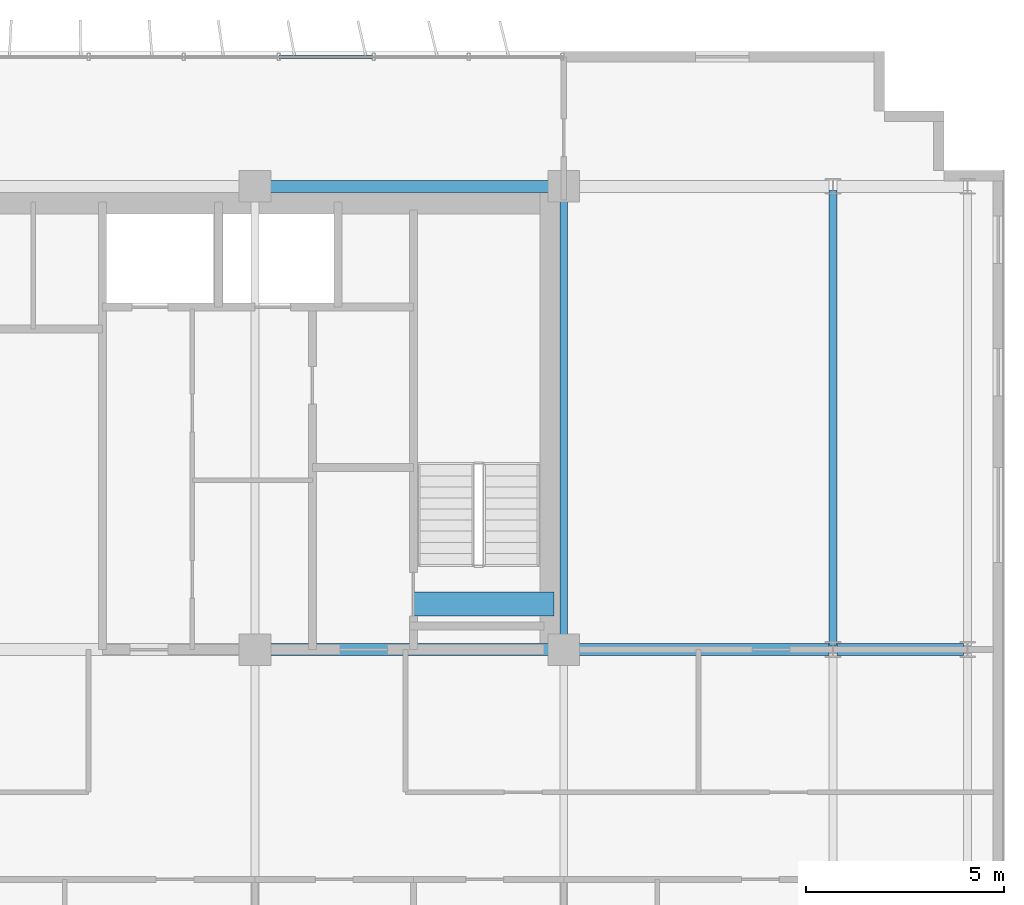
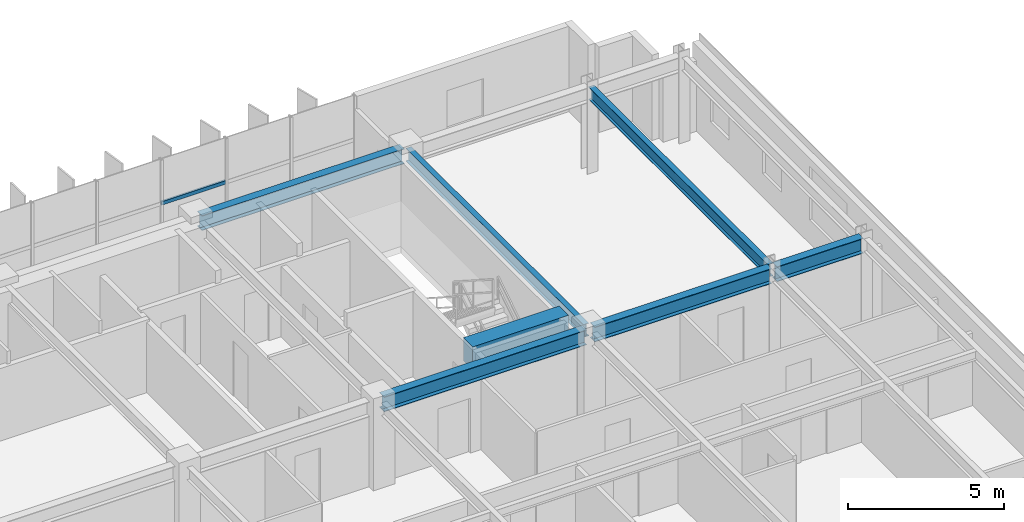
# One storey, part 10 of 21: 7 beams, 1 member, 1 element without a shape of its own.
"""IFC4 building model written with IfcOpenShell, lengths in metres."""

from ifc_helpers import new_model, si_unit, direction, frame, origin, origin_2d, place, context, subcontext, project, spatial, rectangle, hollow_rectangle, i_section, extrude, source, transform, mapped, material, material_profile, profile_set, type_object, element, aggregate, save


model = new_model("IFC4")

# Units and contexts
model_context = context("Model", 3, precision=1e-05, world=origin(), true_north=direction((0.0, 1.0)))
body_context = subcontext(model_context, "Body", "Model", "MODEL_VIEW")
ifc_project = project(units=[si_unit("LENGTHUNIT", "METRE"), si_unit("AREAUNIT", "SQUARE_METRE"), si_unit("VOLUMEUNIT", "CUBIC_METRE"), si_unit("PLANEANGLEUNIT", "RADIAN"), si_unit("MASSUNIT", "GRAM", prefix="KILO")], contexts=[model_context])

# Site, building, storey
site_placement = place(None, origin())
site = spatial("IfcSite", under=ifc_project, at=site_placement, CompositionType="ELEMENT")
building_placement = place(site_placement, origin())
building = spatial("IfcBuilding", under=site, at=building_placement, Name="Trelvane Seafront Commons", CompositionType="ELEMENT")
storey_placement = place(building_placement, frame((0.0, 0.0, 106.89990234375)))
storey = spatial("IfcBuildingStorey", under=building, at=storey_placement, Name="L27", CompositionType="ELEMENT", Elevation=106.89990234375)

# Beams
ifc_material_1 = material(Name="Concrete C60/75", Category="concrete")
ifc_material_profile_1 = material_profile(ifc_material_1, rectangle(XDim=0.60009765625, YDim=0.89990234375, at=origin_2d()), Name="RC-600x900")
ifc_profile_set_1 = profile_set([ifc_material_profile_1], Name="Concrete C60/75")
beam_type_1 = type_object("IfcBeamType", Name="STR-LNT-RC600x900", PredefinedType="LINTEL", material=ifc_profile_set_1)
shared_shape_1 = source(origin(), body_context, "Body", "SweptSolid", [
    extrude(rectangle(XDim=0.60009765625, YDim=0.89990234375, at=origin_2d()), origin(), (0.0, 0.0, 1.0), 3.550048828125),
])
beam_1_placement = place(storey_placement, frame((55.0, 34.550048828125, 2.89013671875), z_axis=(1.0, 0.0, 0.0), x_axis=(0.0, 1.0, 0.0)))
element("IfcBeam", 1, at=beam_1_placement, inside=storey, type_object=beam_type_1, Name="L27 Core Coupling Lintel Beam CB-86", PredefinedType="LINTEL", context=body_context, shape_type="MappedRepresentation", body=[
    mapped(shared_shape_1, transform((0.0, 0.0, 0.0), x_axis=(1.0, 0.0, 0.0), y_axis=(0.0, 1.0, 0.0), z_axis=(0.0, 0.0, 1.0), scale=1.0)),
])
ifc_material_2 = material(Name="Steel SM355 (S355)", Category="steel")
ifc_material_profile_2 = material_profile(ifc_material_2, i_section(OverallWidth=0.300048828125, OverallDepth=0.587890625, WebThickness=0.011962890625, FlangeThickness=0.02001953125, at=origin_2d()), Name="H-588x300x12x20")
ifc_profile_set_2 = profile_set([ifc_material_profile_2], Name="Steel SM355 (S355)")
beam_type_2 = type_object("IfcBeamType", Name="STR-BM-H588", PredefinedType="BEAM", material=ifc_profile_set_2)
shared_shape_2 = source(origin(), body_context, "Body", "SweptSolid", [
    extrude(i_section(OverallWidth=0.300048828125, OverallDepth=0.587890625, WebThickness=0.011962890625, FlangeThickness=0.02001953125, at=origin_2d()), origin(), (0.0, 0.0, 1.0), 3.199951171875),
])
beam_2_placement = place(storey_placement, frame((65.699951171875, 33.39990234375, 3.046142578125), z_axis=(1.0, 0.0, 0.0), x_axis=(0.0, 1.0, 0.0)))
element("IfcBeam", 2, at=beam_2_placement, inside=storey, type_object=beam_type_2, Name="L27 Primary Girder G-27", PredefinedType="BEAM", context=body_context, shape_type="MappedRepresentation", body=[
    mapped(shared_shape_2, transform((0.0, 0.0, 0.0), x_axis=(1.0, 0.0, 0.0), y_axis=(0.0, 1.0, 0.0), z_axis=(0.0, 0.0, 1.0), scale=1.0)),
])
shared_shape_3 = source(origin(), body_context, "Body", "SweptSolid", [
    extrude(i_section(OverallWidth=0.300048828125, OverallDepth=0.587890625, WebThickness=0.011962890625, FlangeThickness=0.02001953125, at=origin_2d()), origin(), (0.0, 0.0, 1.0), 6.550048828125),
])
beam_3_placement = place(storey_placement, frame((58.949951171875, 33.39990234375, 3.046142578125), z_axis=(1.0, 0.0, 0.0), x_axis=(0.0, 1.0, 0.0)))
element("IfcBeam", 3, at=beam_3_placement, inside=storey, type_object=beam_type_2, Name="L27 Primary Girder G-26", PredefinedType="BEAM", context=body_context, shape_type="MappedRepresentation", body=[
    mapped(shared_shape_3, transform((0.0, 0.0, 0.0), x_axis=(1.0, 0.0, 0.0), y_axis=(0.0, 1.0, 0.0), z_axis=(0.0, 0.0, 1.0), scale=1.0)),
])
shared_shape_4 = source(origin(), body_context, "Body", "SweptSolid", [
    extrude(i_section(OverallWidth=0.300048828125, OverallDepth=0.587890625, WebThickness=0.011962890625, FlangeThickness=0.02001953125, at=origin_2d()), origin(), (0.0, 0.0, 1.0), 7.5),
])
for number, where, z_axis, x_axis, name in (
    (4, (51.14990234375, 33.39990234375, 3.046142578125), (1.0, 0.0, 0.0), (0.0, 1.0, 0.0), "L27 Primary Girder G-25"),
    (5, (51.14990234375, 45.10009765625, 3.046142578125), (1.0, 0.0, 0.0), (0.0, 1.0, 0.0), "L27 Primary Girder G-34"),
):
    element("IfcBeam", number, at=place(storey_placement, frame(where, z_axis=z_axis, x_axis=x_axis)), inside=storey, type_object=beam_type_2, Name=name, PredefinedType="BEAM", context=body_context, shape_type="MappedRepresentation", body=[
        mapped(shared_shape_4, transform((0.0, 0.0, 0.0), x_axis=(1.0, 0.0, 0.0), y_axis=(0.0, 1.0, 0.0), z_axis=(0.0, 0.0, 1.0), scale=1.0)),
    ])
ifc_material_profile_3 = material_profile(ifc_material_2, i_section(OverallWidth=0.199951171875, OverallDepth=0.5, WebThickness=0.010009765625, FlangeThickness=0.01611328125, at=origin_2d()), Name="H-500x200x10x16")
ifc_profile_set_3 = profile_set([ifc_material_profile_3], Name="Steel SM355 (S355)")
beam_type_3 = type_object("IfcBeamType", Name="STR-BM-H500", PredefinedType="BEAM", material=ifc_profile_set_3)
shared_shape_5 = source(origin(), body_context, "Body", "SweptSolid", [
    extrude(i_section(OverallWidth=0.199951171875, OverallDepth=0.5, WebThickness=0.010009765625, FlangeThickness=0.01611328125, at=origin_2d()), origin(), (0.0, 0.0, 1.0), 11.5),
])
beam_4_placement = place(storey_placement, frame((65.60009765625, 33.5, 3.090087890625), z_axis=(0.0, 1.0, 0.0), x_axis=(-1.0, 0.0, 0.0)))
element("IfcBeam", 6, at=beam_4_placement, inside=storey, type_object=beam_type_3, Name="L27 Primary Girder G-63", PredefinedType="BEAM", context=body_context, shape_type="MappedRepresentation", body=[
    mapped(shared_shape_5, transform((0.0, 0.0, 0.0), x_axis=(1.0, 0.0, 0.0), y_axis=(0.0, 1.0, 0.0), z_axis=(0.0, 0.0, 1.0), scale=1.0)),
])
shared_shape_6 = source(origin(), body_context, "Body", "SweptSolid", [
    extrude(i_section(OverallWidth=0.199951171875, OverallDepth=0.5, WebThickness=0.010009765625, FlangeThickness=0.01611328125, at=origin_2d()), origin(), (0.0, 0.0, 1.0), 11.39990234375),
])
beam_5_placement = place(storey_placement, frame((58.800048828125, 33.550048828125, 3.090087890625), z_axis=(0.0, 1.0, 0.0), x_axis=(-1.0, 0.0, 0.0)))
element("IfcBeam", 7, at=beam_5_placement, inside=storey, type_object=beam_type_3, Name="L27 Primary Girder G-60", PredefinedType="BEAM", context=body_context, shape_type="MappedRepresentation", body=[
    mapped(shared_shape_6, transform((0.0, 0.0, 0.0), x_axis=(1.0, 0.0, 0.0), y_axis=(0.0, 1.0, 0.0), z_axis=(0.0, 0.0, 1.0), scale=1.0)),
])

# Curtain wall, member
ifc_material_3 = material(Name="Anodised pale-silver aluminium", Category="aluminium")
curtain_wall_type = type_object("IfcCurtainWallType", Name="ARCH-CW4-SKYLOBBY", PredefinedType="NOTDEFINED", material=ifc_material_3)
curtain_wall_placement = place(storey_placement, origin())
curtain_wall = element("IfcCurtainWall", 8, at=curtain_wall_placement, inside=storey, type_object=curtain_wall_type, Name="CW-L27-0052", PredefinedType="NOTDEFINED")
ifc_material_profile_4 = material_profile(ifc_material_3, hollow_rectangle(XDim=0.074951171875, YDim=0.139892578125, WallThickness=0.00390625, at=origin_2d()), Name="TRAN-75x140x4")
ifc_profile_set_4 = profile_set([ifc_material_profile_4], Name="Anodised pale-silver aluminium")
member_type = type_object("IfcMemberType", Name="ARCH-CW-TRAN-140", PredefinedType="USERDEFINED", material=ifc_profile_set_4)
shared_shape_7 = source(origin(), body_context, "Body", "SweptSolid", [
    extrude(hollow_rectangle(XDim=0.074951171875, YDim=0.139892578125, WallThickness=0.00390625, at=origin_2d()), origin(), (0.0, 0.0, 1.0), 2.3759765625),
])
member_placement = place(storey_placement, frame((51.612060546875, 48.3701171875, 1.60302734375), z_axis=(1.0, 0.0, 0.0), x_axis=(0.0, 1.0, 0.0)))
member = element("IfcMember", 9, at=member_placement, type_object=member_type, Name="CW-L27-0052-T15", ObjectType="TRANSOM", PredefinedType="USERDEFINED", context=body_context, shape_type="MappedRepresentation", body=[
    mapped(shared_shape_7, transform((0.0, 0.0, 0.0), x_axis=(1.0, 0.0, 0.0), y_axis=(0.0, 1.0, 0.0), z_axis=(0.0, 0.0, 1.0), scale=1.0)),
])
aggregate(curtain_wall, [member])

save(model, "model.ifc")
